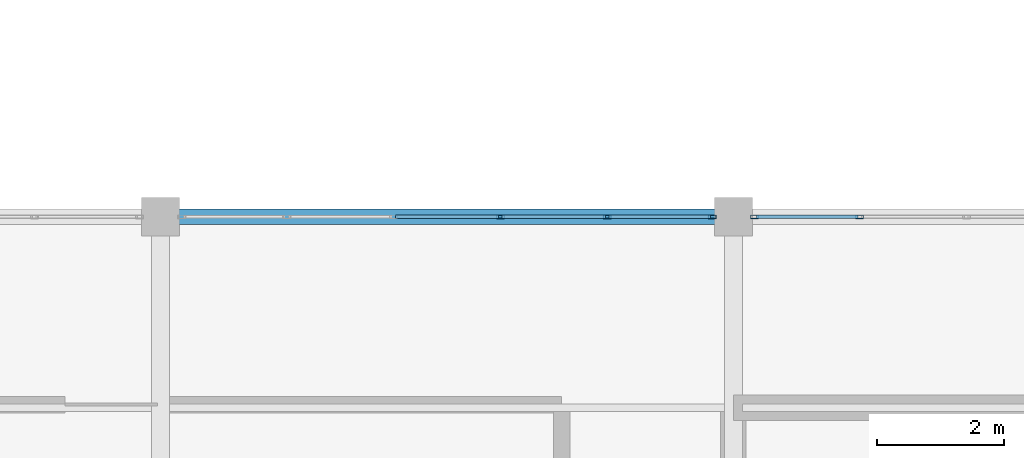
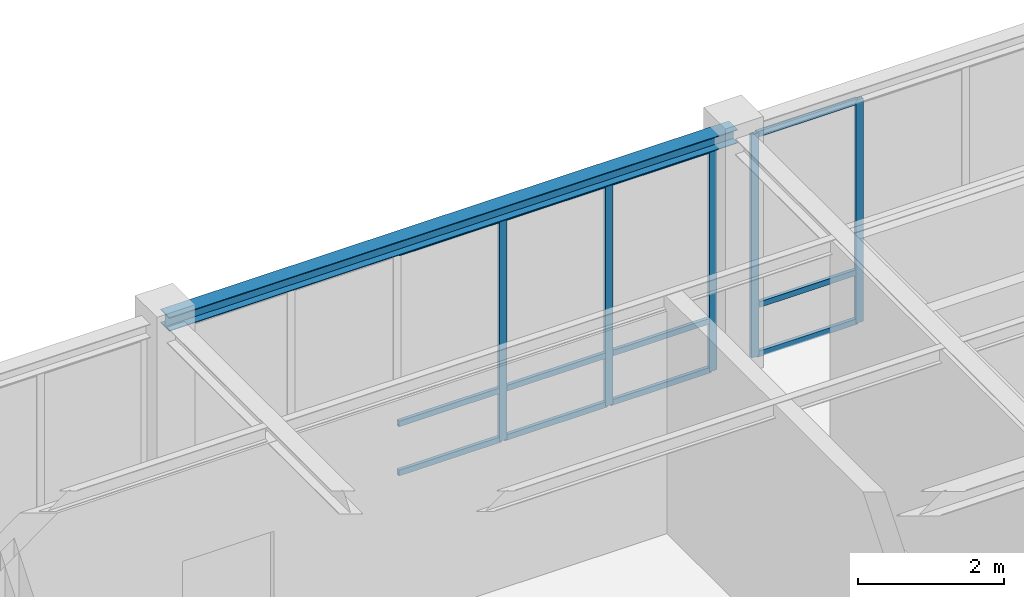
# One storey, part 48 of 97: 17 members, 1 beam, 2 elements without a shape of their own.
"""IFC4 building model written with IfcOpenShell, lengths in metres."""

import ifcopenshell
import ifcopenshell.guid

model = None  # the IFC model being written
_history = None  # IfcOwnerHistory: only IFC2X3 demands one
_inside = {}  # id of a spatial element -> (the spatial element, [elements in it])
_under = {}  # id of a project, library or spatial element -> (it, [spatial elements below it])
_declared = {}  # id of a project -> (the project, [libraries it declares])
_typed = {}  # id of a type object -> (the type object, [elements of that type])
_made_of = {}  # id of a material, layer set ... -> (it, [elements and type objects made of it])


def new_model(schema):
    """Start an empty IFC model of exactly this schema.

    Asked for "IFC4X3", IfcOpenShell would pick the latest addendum, in which some entities
    have other attributes; the version numbers below select the first issue.
    IFC2X3 requires an IfcOwnerHistory on every rooted entity: one is made here for all.
    """
    global model, _history
    if schema == "IFC4X3":
        model = ifcopenshell.file(schema_version=(4, 3, 0, 0))
    else:
        model = ifcopenshell.file(schema=schema)
    _inside.clear()
    _under.clear()
    _declared.clear()
    _typed.clear()
    _made_of.clear()
    _history = None
    if model.schema == "IFC2X3":
        org = make("IfcOrganization", Name="unknown")
        user = make(
            "IfcPersonAndOrganization",
            ThePerson=make("IfcPerson", FamilyName="unknown"),
            TheOrganization=org,
        )
        app = make(
            "IfcApplication",
            ApplicationDeveloper=org,
            Version="unknown",
            ApplicationFullName="unknown",
            ApplicationIdentifier="unknown",
        )
        _history = make(
            "IfcOwnerHistory",
            OwningUser=user,
            OwningApplication=app,
            ChangeAction="ADDED",
            CreationDate=0,
        )
    return model


def make(cls, **values):
    """One entity of the class cls with the attributes given. An attribute that is None is left unset."""
    return model.create_entity(
        cls, **{name: value for name, value in values.items() if value is not None}
    )


def rooted(cls, **values):
    """An entity with a GlobalId (a new one), such as an element, a storey or a relation."""
    return make(cls, GlobalId=ifcopenshell.guid.new(), OwnerHistory=_history, **values)


def si_unit(unit_type, name, prefix=None):
    """IfcSIUnit, for example si_unit("LENGTHUNIT", "METRE", prefix="MILLI")."""
    return make("IfcSIUnit", UnitType=unit_type, Prefix=prefix, Name=name)


def assignment(units):
    """IfcUnitAssignment: the units of a project."""
    return None if units is None else make("IfcUnitAssignment", Units=units)


def point(xyz):
    """IfcCartesianPoint."""
    return None if xyz is None else make("IfcCartesianPoint", Coordinates=xyz)


def direction(xyz):
    """IfcDirection."""
    return None if xyz is None else make("IfcDirection", DirectionRatios=xyz)


def frame(location, z_axis=None, x_axis=None):
    """IfcAxis2Placement3D, a coordinate frame: its origin and axes. An axis left out is left unset."""
    return make(
        "IfcAxis2Placement3D",
        Location=point(location),
        Axis=direction(z_axis),
        RefDirection=direction(x_axis),
    )


def frame_2d(location, x_axis=None):
    """IfcAxis2Placement2D, a coordinate frame in the plane: its origin and x axis."""
    return make(
        "IfcAxis2Placement2D", Location=point(location), RefDirection=direction(x_axis)
    )


def origin():
    """The frame at (0, 0, 0) with its axes left unset."""
    return frame((0.0, 0.0, 0.0))


def origin_2d():
    """The frame at (0, 0) in the plane with its x axis left unset."""
    return frame_2d((0.0, 0.0))


def place(relative_to, where):
    """IfcLocalPlacement: puts the frame where relative to a parent placement (None: the world)."""
    return make(
        "IfcLocalPlacement", PlacementRelTo=relative_to, RelativePlacement=where
    )


def context(
    kind, dimensions, precision=None, world=None, true_north=None, identifier=None
):
    """IfcGeometricRepresentationContext, for example the 3D "Model" context."""
    return make(
        "IfcGeometricRepresentationContext",
        ContextIdentifier=identifier,
        ContextType=kind,
        CoordinateSpaceDimension=dimensions,
        Precision=precision,
        WorldCoordinateSystem=world,
        TrueNorth=true_north,
    )


def subcontext(parent, identifier, kind, view, scale=None):
    """IfcGeometricRepresentationSubContext, for example "Body" below "Model"."""
    return make(
        "IfcGeometricRepresentationSubContext",
        ContextIdentifier=identifier,
        ContextType=kind,
        ParentContext=parent,
        TargetScale=scale,
        TargetView=view,
    )


def project(units=None, contexts=None):
    """IfcProject with its units and contexts."""
    return rooted(
        "IfcProject",
        Name="project",
        RepresentationContexts=contexts,
        UnitsInContext=assignment(units),
    )


def spatial(cls, under=None, at=None, **own):
    """A site, building, storey or space (cls), placed at a placement, below another one or the project."""
    s = rooted(cls, ObjectPlacement=at, **own)
    if under is not None:
        _under.setdefault(under.id(), (under, []))[1].append(s)
    return s


def profile(cls, at=None, kind="AREA", **sizes):
    """A parametric profile (cls). Its sizes go by their IFC names, for example OverallWidth=200.0."""
    return make(cls, ProfileType=kind, Position=at, **sizes)


def hollow_rectangle(**sizes):
    """IfcRectangleHollowProfileDef."""
    return profile("IfcRectangleHollowProfileDef", **sizes)


def i_section(**sizes):
    """IfcIShapeProfileDef."""
    return profile("IfcIShapeProfileDef", **sizes)


def extrude(swept, where, along, depth):
    """IfcExtrudedAreaSolid: the profile swept, set in the frame where, extruded along a direction by depth."""
    return make(
        "IfcExtrudedAreaSolid",
        SweptArea=swept,
        Position=where,
        ExtrudedDirection=direction(along),
        Depth=depth,
    )


def shape(context_of_items, identifier, shape_type, items):
    """IfcShapeRepresentation: the items that make up one representation, for example the "Body"."""
    return make(
        "IfcShapeRepresentation",
        ContextOfItems=context_of_items,
        RepresentationIdentifier=identifier,
        RepresentationType=shape_type,
        Items=items,
    )


def material(Name=None, Category=None):
    """IfcMaterial."""
    return make("IfcMaterial", Name=Name, Category=Category)


def material_profile(
    of_material, cross_section, Name=None, Category=None, Priority=None
):
    """IfcMaterialProfile: a cross section and its material."""
    return make(
        "IfcMaterialProfile",
        Name=Name,
        Material=of_material,
        Profile=cross_section,
        Priority=Priority,
        Category=Category,
    )


def profile_set(profiles, Name=None, composite=None):
    """IfcMaterialProfileSet."""
    return make(
        "IfcMaterialProfileSet",
        Name=Name,
        MaterialProfiles=profiles,
        CompositeProfile=composite,
    )


def made_of(thing, what):
    """Note that an element or type object is made of a material, layer set ...; save() writes the relation."""
    if what is not None:
        _made_of.setdefault(what.id(), (what, []))[1].append(thing)
    return thing


def type_object(cls, material=None, **own):
    """A type object (cls), such as IfcWallType, which elements share."""
    return made_of(rooted(cls, **own), material)


def element(
    cls,
    number,
    at=None,
    inside=None,
    cuts=None,
    type_object=None,
    material=None,
    context=None,
    identifier="Body",
    shape_type=None,
    held_by="IfcProductDefinitionShape",
    body=None,
    shapes=None,
    **own,
):
    """One element of the class cls, such as IfcWall. Its Tag is "e" and its number.

    at: its placement. inside: the storey or other place that contains it. cuts: it is an
    opening in that element (IfcRelVoidsElement). A single representation is given by context,
    identifier, shape_type and body (its items); several are given by shapes. held_by: the class
    of the entity that holds the representations. save() writes the other relations.
    """
    e = rooted(cls, Tag="e%d" % number, ObjectPlacement=at, **own)
    if body is not None:
        shapes = [shape(context, identifier, shape_type, body)]
    if shapes is not None:
        e.Representation = make(held_by, Representations=shapes)
    if inside is not None:
        _inside.setdefault(inside.id(), (inside, []))[1].append(e)
    if cuts is not None:
        rooted(
            "IfcRelVoidsElement", RelatingBuildingElement=cuts, RelatedOpeningElement=e
        )
    if type_object is not None:
        _typed.setdefault(type_object.id(), (type_object, []))[1].append(e)
    return made_of(e, material)


def aggregate(whole, parts):
    """IfcRelAggregates: a whole, such as a stair, and the parts it consists of."""
    return rooted("IfcRelAggregates", RelatingObject=whole, RelatedObjects=parts)


def save(model, path):
    """Write the relations noted so far, then the file.

    IfcRelAggregates (storeys below a building ...), IfcRelContainedInSpatialStructure (elements
    in a storey), IfcRelDefinesByType, IfcRelAssociatesMaterial and IfcRelDeclares: one each for
    every whole, place, type object, material and project.
    """
    for whole, parts in _under.values():
        aggregate(whole, parts)
    for where, things in _inside.values():
        rooted(
            "IfcRelContainedInSpatialStructure",
            RelatedElements=things,
            RelatingStructure=where,
        )
    for kind, things in _typed.values():
        rooted("IfcRelDefinesByType", RelatedObjects=things, RelatingType=kind)
    for what, things in _made_of.values():
        rooted("IfcRelAssociatesMaterial", RelatedObjects=things, RelatingMaterial=what)
    for by, libraries in _declared.values():
        rooted("IfcRelDeclares", RelatingContext=by, RelatedDefinitions=libraries)
    model.write(path)


model = new_model("IFC4")

# Units and contexts
model_context = context("Model", 3, precision=1e-05, world=origin(), true_north=direction((0.0, 1.0)))
body_context = subcontext(model_context, "Body", "Model", "MODEL_VIEW")
ifc_project = project(units=[si_unit("LENGTHUNIT", "METRE"), si_unit("AREAUNIT", "SQUARE_METRE"), si_unit("VOLUMEUNIT", "CUBIC_METRE"), si_unit("PLANEANGLEUNIT", "RADIAN"), si_unit("MASSUNIT", "GRAM", prefix="KILO")], contexts=[model_context])

# Site, building, storey
site_placement = place(None, origin())
site = spatial("IfcSite", under=ifc_project, at=site_placement, CompositionType="ELEMENT")
building_placement = place(site_placement, origin())
building = spatial("IfcBuilding", under=site, at=building_placement, Name="Lykobir Media Centre", CompositionType="ELEMENT")
storey_placement = place(building_placement, frame((0.0, 0.0, 23.39990234375)))
storey = spatial("IfcBuildingStorey", under=building, at=storey_placement, Name="L05", CompositionType="ELEMENT", Elevation=23.39990234375)

# Curtain wall, members
ifc_material_1 = material(Name="Anodized Aluminium AW-6060", Category="aluminium")
curtain_wall_type = type_object("IfcCurtainWallType", Name="CW-COURT-B", PredefinedType="NOTDEFINED", material=ifc_material_1)
curtain_wall_1_placement = place(storey_placement, origin())
curtain_wall_1 = element("IfcCurtainWall", 1, at=curtain_wall_1_placement, inside=storey, type_object=curtain_wall_type, Name="Curtain wall CW2-L05-0188", PredefinedType="NOTDEFINED")
ifc_material_profile_1 = material_profile(ifc_material_1, hollow_rectangle(XDim=0.054931640625, YDim=0.1201171875, WallThickness=0.003173828125, at=origin_2d()), Name="ALU MULLION 55x120")
ifc_profile_set_1 = profile_set([ifc_material_profile_1], Name="Anodized Aluminium AW-6060")
member_type_1 = type_object("IfcMemberType", Name="CWM-120", PredefinedType="MULLION", material=ifc_profile_set_1)
member_1_placement = place(storey_placement, frame((113.339111328125, 18.0, 0.0), z_axis=(0.0, 0.0, 1.0), x_axis=(0.0, 1.0, 0.0)))
member_1 = element("IfcMember", 2, at=member_1_placement, type_object=member_type_1, Name="CW2-L05-0188 mullion 4", PredefinedType="MULLION", context=body_context, shape_type="SweptSolid", body=[
    extrude(hollow_rectangle(XDim=0.054931640625, YDim=0.1201171875, WallThickness=0.003173828125, at=origin_2d()), origin(), (0.0, 0.0, 1.0), 3.735107421875),
])
member_2_placement = place(storey_placement, frame((115.01708984375, 18.0, 0.0), z_axis=(0.0, 0.0, 1.0), x_axis=(0.0, 1.0, 0.0)))
member_2 = element("IfcMember", 3, at=member_2_placement, type_object=member_type_1, Name="CW2-L05-0188 mullion 5", PredefinedType="MULLION", context=body_context, shape_type="SweptSolid", body=[
    extrude(hollow_rectangle(XDim=0.054931640625, YDim=0.1201171875, WallThickness=0.003173828125, at=origin_2d()), origin(), (0.0, 0.0, 1.0), 3.735107421875),
])
member_3_placement = place(storey_placement, frame((116.66748046875, 18.0, 0.0), z_axis=(0.0, 0.0, 1.0), x_axis=(0.0, 1.0, 0.0)))
member_3 = element("IfcMember", 4, at=member_3_placement, type_object=member_type_1, Name="CW2-L05-0188 mullion 6", PredefinedType="MULLION", context=body_context, shape_type="SweptSolid", body=[
    extrude(hollow_rectangle(XDim=0.054931640625, YDim=0.1201171875, WallThickness=0.003173828125, at=origin_2d()), origin(), (0.0, 0.0, 1.0), 3.735107421875),
])

curtain_wall_2_placement = place(storey_placement, origin())
curtain_wall_2 = element("IfcCurtainWall", 5, at=curtain_wall_2_placement, inside=storey, type_object=curtain_wall_type, Name="Curtain wall CW2-L05-0189", PredefinedType="NOTDEFINED")
member_4_placement = place(storey_placement, frame((117.33251953125, 18.0, 0.0), z_axis=(0.0, 0.0, 1.0), x_axis=(0.0, 1.0, 0.0)))
member_4 = element("IfcMember", 6, at=member_4_placement, type_object=member_type_1, Name="CW2-L05-0189 mullion 1", PredefinedType="MULLION", context=body_context, shape_type="SweptSolid", body=[
    extrude(hollow_rectangle(XDim=0.054931640625, YDim=0.1201171875, WallThickness=0.003173828125, at=origin_2d()), origin(), (0.0, 0.0, 1.0), 3.735107421875),
])
member_5_placement = place(storey_placement, frame((118.98291015625, 18.0, 0.0), z_axis=(0.0, 0.0, 1.0), x_axis=(0.0, 1.0, 0.0)))
member_5 = element("IfcMember", 7, at=member_5_placement, type_object=member_type_1, Name="CW2-L05-0189 mullion 2", PredefinedType="MULLION", context=body_context, shape_type="SweptSolid", body=[
    extrude(hollow_rectangle(XDim=0.054931640625, YDim=0.1201171875, WallThickness=0.003173828125, at=origin_2d()), origin(), (0.0, 0.0, 1.0), 3.735107421875),
])

# Member
ifc_material_profile_2 = material_profile(ifc_material_1, hollow_rectangle(XDim=0.054931640625, YDim=0.094970703125, WallThickness=0.0029296875, at=origin_2d()), Name="ALU TRANSOM 55x95")
ifc_profile_set_2 = profile_set([ifc_material_profile_2], Name="Anodized Aluminium AW-6060")
member_type_2 = type_object("IfcMemberType", Name="CWT-095", PredefinedType="USERDEFINED", material=ifc_profile_set_2)
member_6_placement = place(storey_placement, frame((111.6884765625, 18.0, 0.027587890625), z_axis=(1.0, 0.0, 0.0), x_axis=(0.0, 1.0, 0.0)))
member_6 = element("IfcMember", 8, at=member_6_placement, type_object=member_type_2, Name="CW2-L05-0188 transom 3.1", ObjectType="TRANSOM", PredefinedType="USERDEFINED", context=body_context, shape_type="SweptSolid", body=[
    extrude(hollow_rectangle(XDim=0.054931640625, YDim=0.094970703125, WallThickness=0.0029296875, at=origin_2d()), origin(), (0.0, 0.0, 1.0), 1.623046875),
])

member_7_placement = place(storey_placement, frame((111.6884765625, 18.0, 0.85009765625), z_axis=(1.0, 0.0, 0.0), x_axis=(0.0, 1.0, 0.0)))
member_7 = element("IfcMember", 9, at=member_7_placement, type_object=member_type_2, Name="CW2-L05-0188 transom 3.2", ObjectType="TRANSOM", PredefinedType="USERDEFINED", context=body_context, shape_type="SweptSolid", body=[
    extrude(hollow_rectangle(XDim=0.054931640625, YDim=0.094970703125, WallThickness=0.0029296875, at=origin_2d()), origin(), (0.0, 0.0, 1.0), 1.623046875),
])

member_8_placement = place(storey_placement, frame((111.6884765625, 18.0, 3.70751953125), z_axis=(1.0, 0.0, 0.0), x_axis=(0.0, 1.0, 0.0)))
member_8 = element("IfcMember", 10, at=member_8_placement, type_object=member_type_2, Name="CW2-L05-0188 transom 3.3", ObjectType="TRANSOM", PredefinedType="USERDEFINED", context=body_context, shape_type="SweptSolid", body=[
    extrude(hollow_rectangle(XDim=0.054931640625, YDim=0.094970703125, WallThickness=0.0029296875, at=origin_2d()), origin(), (0.0, 0.0, 1.0), 1.623046875),
])

member_9_placement = place(storey_placement, frame((113.366455078125, 18.0, 0.027587890625), z_axis=(1.0, 0.0, 0.0), x_axis=(0.0, 1.0, 0.0)))
member_9 = element("IfcMember", 11, at=member_9_placement, type_object=member_type_2, Name="CW2-L05-0188 transom 4.1", ObjectType="TRANSOM", PredefinedType="USERDEFINED", context=body_context, shape_type="SweptSolid", body=[
    extrude(hollow_rectangle(XDim=0.054931640625, YDim=0.094970703125, WallThickness=0.0029296875, at=origin_2d()), origin(), (0.0, 0.0, 1.0), 1.623046875),
])

member_10_placement = place(storey_placement, frame((113.366455078125, 18.0, 0.85009765625), z_axis=(1.0, 0.0, 0.0), x_axis=(0.0, 1.0, 0.0)))
member_10 = element("IfcMember", 12, at=member_10_placement, type_object=member_type_2, Name="CW2-L05-0188 transom 4.2", ObjectType="TRANSOM", PredefinedType="USERDEFINED", context=body_context, shape_type="SweptSolid", body=[
    extrude(hollow_rectangle(XDim=0.054931640625, YDim=0.094970703125, WallThickness=0.0029296875, at=origin_2d()), origin(), (0.0, 0.0, 1.0), 1.623046875),
])

member_11_placement = place(storey_placement, frame((113.366455078125, 18.0, 3.70751953125), z_axis=(1.0, 0.0, 0.0), x_axis=(0.0, 1.0, 0.0)))
member_11 = element("IfcMember", 13, at=member_11_placement, type_object=member_type_2, Name="CW2-L05-0188 transom 4.3", ObjectType="TRANSOM", PredefinedType="USERDEFINED", context=body_context, shape_type="SweptSolid", body=[
    extrude(hollow_rectangle(XDim=0.054931640625, YDim=0.094970703125, WallThickness=0.0029296875, at=origin_2d()), origin(), (0.0, 0.0, 1.0), 1.623046875),
])

member_12_placement = place(storey_placement, frame((115.04443359375, 18.0, 0.027587890625), z_axis=(1.0, 0.0, 0.0), x_axis=(0.0, 1.0, 0.0)))
member_12 = element("IfcMember", 14, at=member_12_placement, type_object=member_type_2, Name="CW2-L05-0188 transom 5.1", ObjectType="TRANSOM", PredefinedType="USERDEFINED", context=body_context, shape_type="SweptSolid", body=[
    extrude(hollow_rectangle(XDim=0.054931640625, YDim=0.094970703125, WallThickness=0.0029296875, at=origin_2d()), origin(), (0.0, 0.0, 1.0), 1.595458984375),
])

member_13_placement = place(storey_placement, frame((115.04443359375, 18.0, 0.85009765625), z_axis=(1.0, 0.0, 0.0), x_axis=(0.0, 1.0, 0.0)))
member_13 = element("IfcMember", 15, at=member_13_placement, type_object=member_type_2, Name="CW2-L05-0188 transom 5.2", ObjectType="TRANSOM", PredefinedType="USERDEFINED", context=body_context, shape_type="SweptSolid", body=[
    extrude(hollow_rectangle(XDim=0.054931640625, YDim=0.094970703125, WallThickness=0.0029296875, at=origin_2d()), origin(), (0.0, 0.0, 1.0), 1.595458984375),
])

member_14_placement = place(storey_placement, frame((115.04443359375, 18.0, 3.70751953125), z_axis=(1.0, 0.0, 0.0), x_axis=(0.0, 1.0, 0.0)))
member_14 = element("IfcMember", 16, at=member_14_placement, type_object=member_type_2, Name="CW2-L05-0188 transom 5.3", ObjectType="TRANSOM", PredefinedType="USERDEFINED", context=body_context, shape_type="SweptSolid", body=[
    extrude(hollow_rectangle(XDim=0.054931640625, YDim=0.094970703125, WallThickness=0.0029296875, at=origin_2d()), origin(), (0.0, 0.0, 1.0), 1.595458984375),
])

aggregate(curtain_wall_1, [member_1, member_2, member_3, member_6, member_7, member_8, member_9, member_10, member_11, member_12, member_13, member_14])

member_15_placement = place(storey_placement, frame((117.360107421875, 18.0, 0.027587890625), z_axis=(1.0, 0.0, 0.0), x_axis=(0.0, 1.0, 0.0)))
member_15 = element("IfcMember", 17, at=member_15_placement, type_object=member_type_2, Name="CW2-L05-0189 transom 1.1", ObjectType="TRANSOM", PredefinedType="USERDEFINED", context=body_context, shape_type="SweptSolid", body=[
    extrude(hollow_rectangle(XDim=0.054931640625, YDim=0.094970703125, WallThickness=0.0029296875, at=origin_2d()), origin(), (0.0, 0.0, 1.0), 1.595458984375),
])

member_16_placement = place(storey_placement, frame((117.360107421875, 18.0, 0.85009765625), z_axis=(1.0, 0.0, 0.0), x_axis=(0.0, 1.0, 0.0)))
member_16 = element("IfcMember", 18, at=member_16_placement, type_object=member_type_2, Name="CW2-L05-0189 transom 1.2", ObjectType="TRANSOM", PredefinedType="USERDEFINED", context=body_context, shape_type="SweptSolid", body=[
    extrude(hollow_rectangle(XDim=0.054931640625, YDim=0.094970703125, WallThickness=0.0029296875, at=origin_2d()), origin(), (0.0, 0.0, 1.0), 1.595458984375),
])

member_17_placement = place(storey_placement, frame((117.360107421875, 18.0, 3.70751953125), z_axis=(1.0, 0.0, 0.0), x_axis=(0.0, 1.0, 0.0)))
member_17 = element("IfcMember", 19, at=member_17_placement, type_object=member_type_2, Name="CW2-L05-0189 transom 1.3", ObjectType="TRANSOM", PredefinedType="USERDEFINED", context=body_context, shape_type="SweptSolid", body=[
    extrude(hollow_rectangle(XDim=0.054931640625, YDim=0.094970703125, WallThickness=0.0029296875, at=origin_2d()), origin(), (0.0, 0.0, 1.0), 1.595458984375),
])

aggregate(curtain_wall_2, [member_4, member_5, member_15, member_16, member_17])

# Beam
ifc_material_2 = material(Name="Steel S355", Category="steel")
ifc_material_profile_3 = material_profile(ifc_material_2, i_section(OverallWidth=0.239990234375, OverallDepth=0.22998046875, WebThickness=0.007568359375, FlangeThickness=0.011962890625, at=origin_2d()), Name="HEA 240")
ifc_profile_set_3 = profile_set([ifc_material_profile_3], Name="Steel S355")
beam_type = type_object("IfcBeamType", Name="SP-HEA240", PredefinedType="SPANDREL", material=ifc_profile_set_3)
beam_placement = place(storey_placement, frame((108.0, 18.0, 3.864990234375), z_axis=(1.0, 0.0, 0.0), x_axis=(0.0, 1.0, 0.0)))
element("IfcBeam", 20, at=beam_placement, inside=storey, type_object=beam_type, Name="Beam BM-L05-1080-0180-1170-0180-2726", PredefinedType="SPANDREL", context=body_context, shape_type="SweptSolid", body=[
    extrude(i_section(OverallWidth=0.239990234375, OverallDepth=0.22998046875, WebThickness=0.007568359375, FlangeThickness=0.011962890625, at=origin_2d()), origin(), (0.0, 0.0, 1.0), 9.0),
])

save(model, "model.ifc")
